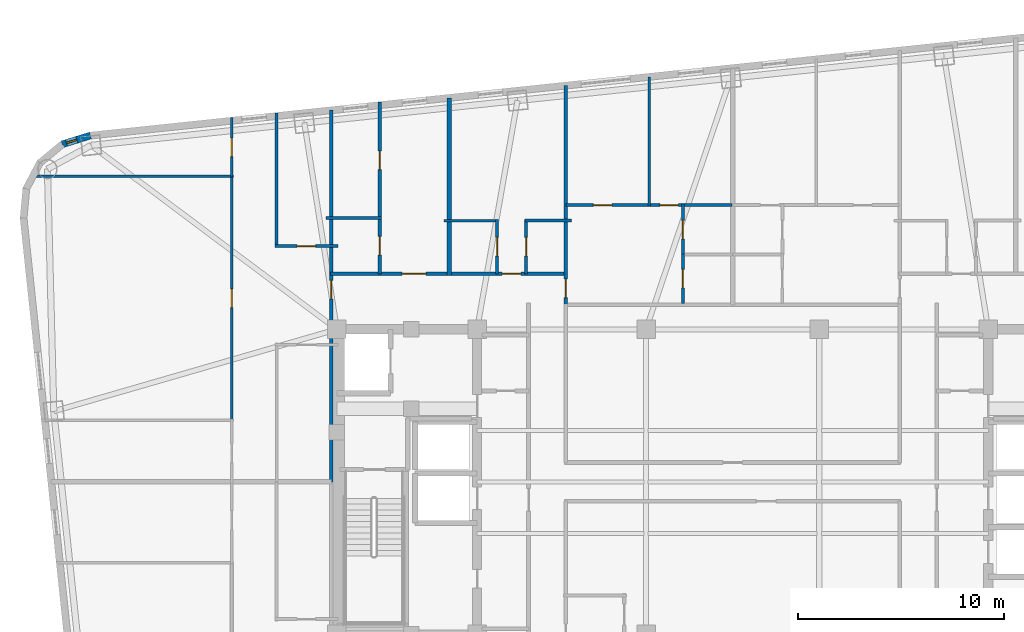
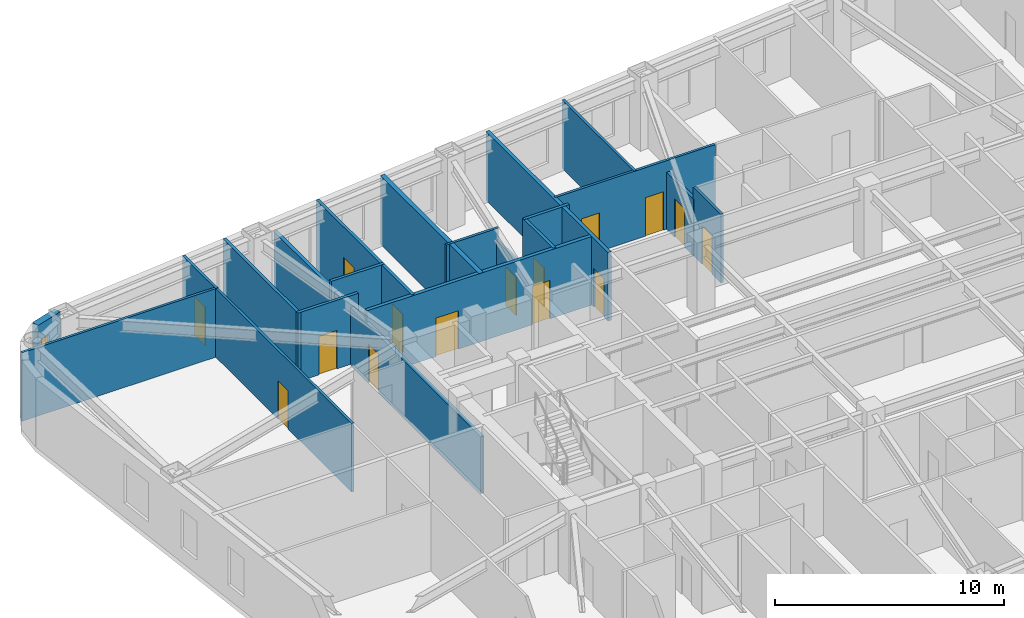
# One storey, part 8 of 12: 21 walls, 15 doors, 1 window, 16 openings.
"""IFC4 building model written with IfcOpenShell, lengths in metres."""

from ifc_helpers import new_model, si_unit, direction, frame, frame_2d, origin, place, context, subcontext, project, spatial, rectangle, extrude, material, layer, layer_set, type_object, element, fill, save


model = new_model("IFC4")

# Units and contexts
model_context = context("Model", 3, precision=1e-05, world=origin(), true_north=direction((0.0, 1.0)))
body_context = subcontext(model_context, "Body", "Model", "MODEL_VIEW")
ifc_project = project(units=[si_unit("LENGTHUNIT", "METRE"), si_unit("AREAUNIT", "SQUARE_METRE"), si_unit("VOLUMEUNIT", "CUBIC_METRE"), si_unit("PLANEANGLEUNIT", "RADIAN"), si_unit("MASSUNIT", "GRAM", prefix="KILO")], contexts=[model_context])

# Site, building, storey
site_placement = place(None, origin())
site = spatial("IfcSite", under=ifc_project, at=site_placement, CompositionType="ELEMENT")
building_placement = place(site_placement, origin())
building = spatial("IfcBuilding", under=site, at=building_placement, Name="Voryun Gate Residences", CompositionType="ELEMENT")
storey_placement = place(building_placement, frame((0.0, 0.0, 179.39990234375)))
storey = spatial("IfcBuildingStorey", under=building, at=storey_placement, Name="L44", CompositionType="ELEMENT", Elevation=179.39990234375)

# Wall, openings, doors
ifc_material_1 = material(Name="Gypsum acoustic fireboard")
ifc_layer_1 = layer(ifc_material_1, 0.179931640625, Name="W_CORR_RATED_180")
ifc_layer_set_1 = layer_set([ifc_layer_1], Name="Gypsum acoustic fireboard")
wall_type_1 = type_object("IfcWallType", Name="W_CORR_RATED_180", PredefinedType="PARTITIONING", material=ifc_layer_set_1)
wall_1_placement = place(storey_placement, frame((-19.5, 10.10009765625, 0.0), z_axis=(0.0, 0.0, 1.0), x_axis=(1.0, 0.0, 0.0)))
wall_1 = element("IfcWall", 1, at=wall_1_placement, inside=storey, type_object=wall_type_1, Name="Partition wall WP-L44-NCORR-W", PredefinedType="PARTITIONING", context=body_context, shape_type="SweptSolid", body=[
    extrude(rectangle(XDim=11.419921875, YDim=0.179931640625, at=frame_2d((5.7099609375, 0.0))), origin(), (0.0, 0.0, 1.0), 3.650146484375),
])
opening_1_placement = place(wall_1_placement, frame((3.46435546875, 0.0, 0.0)))
opening_1 = element("IfcOpeningElement", 2, at=opening_1_placement, cuts=wall_1, Name="Opening D-UNIT-1", PredefinedType="OPENING", context=body_context, shape_type="SweptSolid", body=[
    extrude(rectangle(XDim=1.14990234375, YDim=2.050048828125, at=frame_2d((0.574951171875, 1.02490234375))), frame((0.0, 0.099853515625, 0.0), z_axis=(0.0, -1.0, 0.0), x_axis=(1.0, 0.0, 0.0)), (0.0, 0.0, 1.0), 0.199951171875),
])
opening_2_placement = place(wall_1_placement, frame((8.32275390625, 0.0, 0.0)))
opening_2 = element("IfcOpeningElement", 3, at=opening_2_placement, cuts=wall_1, Name="Opening D-INT-2", PredefinedType="OPENING", context=body_context, shape_type="SweptSolid", body=[
    extrude(rectangle(XDim=0.89990234375, YDim=2.050048828125, at=frame_2d((0.449951171875, 1.02490234375))), frame((0.0, 0.099853515625, 0.0), z_axis=(0.0, -1.0, 0.0), x_axis=(1.0, 0.0, 0.0)), (0.0, 0.0, 1.0), 0.199951171875),
])
ifc_material_2 = material(Name="Architectural oak veneer")
door_type_1 = type_object("IfcDoorType", Name="DR_INT_BATH_900", OperationType="NOTDEFINED", PredefinedType="DOOR", material=ifc_material_2)
door_1_placement = place(opening_2_placement, origin())
door_1 = element("IfcDoor", 4, at=door_1_placement, inside=storey, type_object=door_type_1, Name="Door DR-L44-NENT-2", OperationType="SINGLE_SWING_RIGHT", OverallHeight=2.050048828125, OverallWidth=0.89990234375, PredefinedType="DOOR", context=body_context, shape_type="SweptSolid", body=[
    extrude(rectangle(XDim=0.89990234375, YDim=2.050048828125, at=frame_2d((0.449951171875, 1.02490234375))), frame((0.0, 0.02490234375, 0.0), z_axis=(0.0, -1.0, 0.0), x_axis=(1.0, 0.0, 0.0)), (0.0, 0.0, 1.0), 0.050048828125),
])
fill(opening_2, door_1)
ifc_material_3 = material(Name="Armoured timber-clad fire door", Category="wood")
door_type_2 = type_object("IfcDoorType", Name="DR_UNIT_ENTRY_1150", OperationType="NOTDEFINED", PredefinedType="DOOR", material=ifc_material_3)
door_2_placement = place(opening_1_placement, origin())
door_2 = element("IfcDoor", 5, at=door_2_placement, inside=storey, type_object=door_type_2, Name="Door DR-L44-NENT-1", OperationType="SINGLE_SWING_LEFT", OverallHeight=2.050048828125, OverallWidth=1.14990234375, PredefinedType="DOOR", context=body_context, shape_type="SweptSolid", body=[
    extrude(rectangle(XDim=1.14990234375, YDim=2.050048828125, at=frame_2d((0.574951171875, 1.02490234375))), frame((0.0, 0.02490234375, 0.0), z_axis=(0.0, -1.0, 0.0), x_axis=(1.0, 0.0, 0.0)), (0.0, 0.0, 1.0), 0.050048828125),
])
fill(opening_1, door_2)

# Wall, opening, door
wall_2_placement = place(storey_placement, frame((-8.10009765625, 8.590087890625, 0.0), z_axis=(0.0, 0.0, 1.0), x_axis=(0.0, 1.0, 0.0)))
wall_2 = element("IfcWall", 6, at=wall_2_placement, inside=storey, type_object=wall_type_1, Name="Partition wall WP-L44-NZV-1", PredefinedType="PARTITIONING", context=body_context, shape_type="SweptSolid", body=[
    extrude(rectangle(XDim=10.63623046875, YDim=0.179931640625, at=frame_2d((5.318115234375, 0.0))), origin(), (0.0, 0.0, 1.0), 3.650146484375),
])
opening_3_placement = place(wall_2_placement, frame((0.349853515625, 0.0, 0.0)))
opening_3 = element("IfcOpeningElement", 7, at=opening_3_placement, cuts=wall_2, Name="Opening D-INT-2", PredefinedType="OPENING", context=body_context, shape_type="SweptSolid", body=[
    extrude(rectangle(XDim=0.89990234375, YDim=2.050048828125, at=frame_2d((0.449951171875, 1.02490234375))), frame((0.0, 0.099853515625, 0.0), z_axis=(0.0, -1.0, 0.0), x_axis=(1.0, 0.0, 0.0)), (0.0, 0.0, 1.0), 0.199951171875),
])
door_3_placement = place(opening_3_placement, origin())
door_3 = element("IfcDoor", 8, at=door_3_placement, inside=storey, type_object=door_type_1, Name="Door DR-L44-NZENT-1", OperationType="SINGLE_SWING_LEFT", OverallHeight=2.050048828125, OverallWidth=0.89990234375, PredefinedType="DOOR", context=body_context, shape_type="SweptSolid", body=[
    extrude(rectangle(XDim=0.89990234375, YDim=2.050048828125, at=frame_2d((0.449951171875, 1.02490234375))), frame((0.0, 0.02490234375, 0.0), z_axis=(0.0, -1.0, 0.0), x_axis=(1.0, 0.0, 0.0)), (0.0, 0.0, 1.0), 0.050048828125),
])
fill(opening_3, door_3)

wall_3_placement = place(storey_placement, frame((-19.469970703125, 0.0, 0.0), z_axis=(0.0, 0.0, 1.0), x_axis=(0.0, 1.0, 0.0)))
wall_3 = element("IfcWall", 9, at=wall_3_placement, inside=storey, type_object=wall_type_1, Name="Partition wall WP-L44-WCOR2", PredefinedType="PARTITIONING", context=body_context, shape_type="SweptSolid", body=[
    extrude(rectangle(XDim=18.031494140625, YDim=0.179931640625, at=frame_2d((9.015625, 0.0))), origin(), (0.0, 0.0, 1.0), 3.0400390625),
])
opening_4_placement = place(wall_3_placement, frame((8.87939453125, 0.0, 0.0)))
opening_4 = element("IfcOpeningElement", 10, at=opening_4_placement, cuts=wall_3, Name="Opening D-INT-2", PredefinedType="OPENING", context=body_context, shape_type="SweptSolid", body=[
    extrude(rectangle(XDim=0.89990234375, YDim=2.050048828125, at=frame_2d((0.449951171875, 1.02490234375))), frame((0.0, 0.099853515625, 0.0), z_axis=(0.0, -1.0, 0.0), x_axis=(1.0, 0.0, 0.0)), (0.0, 0.0, 1.0), 0.199951171875),
])
door_4_placement = place(opening_4_placement, origin())
door_4 = element("IfcDoor", 11, at=door_4_placement, inside=storey, type_object=door_type_1, Name="Door DR-L44-WE2", OperationType="SINGLE_SWING_RIGHT", OverallHeight=2.050048828125, OverallWidth=0.89990234375, PredefinedType="DOOR", context=body_context, shape_type="SweptSolid", body=[
    extrude(rectangle(XDim=0.89990234375, YDim=2.050048828125, at=frame_2d((0.449951171875, 1.02490234375))), frame((0.0, 0.02490234375, 0.0), z_axis=(0.0, -1.0, 0.0), x_axis=(1.0, 0.0, 0.0)), (0.0, 0.0, 1.0), 0.050048828125),
])
fill(opening_4, door_4)

# Wall, opening, window
ifc_material_4 = material(Name="Charcoal terracotta masonry", Category="masonry")
ifc_layer_2 = layer(ifc_material_4, 0.340087890625, Name="W_EXT_TERRACOTTA_340")
ifc_layer_set_2 = layer_set([ifc_layer_2], Name="Charcoal terracotta masonry")
wall_type_2 = type_object("IfcWallType", Name="W_EXT_TERRACOTTA_340", PredefinedType="ELEMENTEDWALL", material=ifc_layer_set_2)
wall_4_placement = place(storey_placement, frame((-32.523193359375, 16.37841796875, 0.0), z_axis=(0.0, 0.0, 1.0), x_axis=(0.9549942197, 0.296624409546, 0.0)))
wall_4 = element("IfcWall", 12, at=wall_4_placement, inside=storey, type_object=wall_type_2, Name="Exterior wall WEXT-L44-10", PredefinedType="ELEMENTEDWALL", context=body_context, shape_type="SweptSolid", body=[
    extrude(rectangle(XDim=1.43212890625, YDim=0.340087890625, at=frame_2d((0.716064453125, 0.0))), origin(), (0.0, 0.0, 1.0), 3.650146484375),
])
opening_5_placement = place(wall_4_placement, frame((0.216064453125, 0.0, 0.75)))
opening_5 = element("IfcOpeningElement", 13, at=opening_5_placement, cuts=wall_4, Name="Opening WN10", PredefinedType="OPENING", context=body_context, shape_type="SweptSolid", body=[
    extrude(rectangle(XDim=0.52001953125, YDim=2.050048828125, at=frame_2d((0.260009765625, 1.02490234375))), frame((0.0, 0.179931640625, 0.0), z_axis=(0.0, -1.0, 0.0), x_axis=(1.0, 0.0, 0.0)), (0.0, 0.0, 1.0), 0.360107421875),
])
ifc_material_5 = material(Name="Laminated low-E glass", Category="glass")
window_type = type_object("IfcWindowType", Name="WN_PAGODA_LANCET_520", PartitioningType="SINGLE_PANEL", PredefinedType="WINDOW", material=ifc_material_5)
window_placement = place(opening_5_placement, origin())
window = element("IfcWindow", 14, at=window_placement, inside=storey, type_object=window_type, Name="Window WN-L44-DWFIX-24", OverallHeight=2.050048828125, OverallWidth=0.52001953125, PartitioningType="SINGLE_PANEL", PredefinedType="WINDOW", context=body_context, shape_type="SweptSolid", body=[
    extrude(rectangle(XDim=0.52001953125, YDim=2.050048828125, at=frame_2d((0.260009765625, 1.02490234375))), frame((0.0, 0.030029296875, 0.0), z_axis=(0.0, -1.0, 0.0), x_axis=(1.0, 0.0, 0.0)), (0.0, 0.0, 1.0), 0.06005859375),
])
fill(opening_5, window)

# Wall
ifc_material_6 = material(Name="Concrete C40/50", Category="concrete")
ifc_layer_3 = layer(ifc_material_6, 0.219970703125, Name="W_PARTY_ACOUSTIC_220")
ifc_layer_set_3 = layer_set([ifc_layer_3], Name="Concrete C40/50")
wall_type_3 = type_object("IfcWallType", Name="W_PARTY_ACOUSTIC_220", PredefinedType="PARTITIONING", material=ifc_layer_set_3)
wall_5_placement = place(storey_placement, frame((-13.739990234375, 10.02001953125, 0.0), z_axis=(0.0, 0.0, 1.0), x_axis=(0.0, 1.0, 0.0)))
element("IfcWall", 15, at=wall_5_placement, inside=storey, type_object=wall_type_3, Name="Partition wall WP-L44-NPTY-1", PredefinedType="PARTITIONING", context=body_context, shape_type="SweptSolid", body=[
    extrude(rectangle(XDim=8.613525390625, YDim=0.219970703125, at=frame_2d((4.306640625, 0.0))), origin(), (0.0, 0.0, 1.0), 3.650146484375),
])

# Wall, opening, door
ifc_material_7 = material(Name="Gypsum acoustic partition")
ifc_layer_4 = layer(ifc_material_7, 0.125, Name="W_UNIT_PART_125")
ifc_layer_set_4 = layer_set([ifc_layer_4], Name="Gypsum acoustic partition")
wall_type_4 = type_object("IfcWallType", Name="W_UNIT_PART_125", PredefinedType="PARTITIONING", material=ifc_layer_set_4)
wall_6_placement = place(storey_placement, frame((-11.429931640625, 10.080078125, 0.0), z_axis=(0.0, 0.0, 1.0), x_axis=(0.0, 1.0, 0.0)))
wall_6 = element("IfcWall", 16, at=wall_6_placement, inside=storey, type_object=wall_type_4, Name="Partition wall WP-L44-N2-CVK", PredefinedType="PARTITIONING", context=body_context, shape_type="SweptSolid", body=[
    extrude(rectangle(XDim=2.64990234375, YDim=0.125, at=frame_2d((1.324951171875, 0.0))), origin(), (0.0, 0.0, 1.0), 3.0400390625),
])
opening_6_placement = place(wall_6_placement, frame((0.875, 0.0, 0.0)))
opening_6 = element("IfcOpeningElement", 17, at=opening_6_placement, cuts=wall_6, Name="Opening D-INT-2", PredefinedType="OPENING", context=body_context, shape_type="SweptSolid", body=[
    extrude(rectangle(XDim=0.89990234375, YDim=2.050048828125, at=frame_2d((0.449951171875, 1.02490234375))), frame((0.0, 0.072509765625, 0.0), z_axis=(0.0, -1.0, 0.0), x_axis=(1.0, 0.0, 0.0)), (0.0, 0.0, 1.0), 0.14501953125),
])
door_5_placement = place(opening_6_placement, origin())
door_5 = element("IfcDoor", 18, at=door_5_placement, inside=storey, type_object=door_type_1, Name="Door DR-L44-N2-DK", OperationType="SINGLE_SWING_LEFT", OverallHeight=2.050048828125, OverallWidth=0.89990234375, PredefinedType="DOOR", context=body_context, shape_type="SweptSolid", body=[
    extrude(rectangle(XDim=0.89990234375, YDim=2.050048828125, at=frame_2d((0.449951171875, 1.02490234375))), frame((0.0, 0.02490234375, 0.0), z_axis=(0.0, -1.0, 0.0), x_axis=(1.0, 0.0, 0.0)), (0.0, 0.0, 1.0), 0.050048828125),
])
fill(opening_6, door_5)

# Wall
wall_7_placement = place(storey_placement, frame((-14.0, 12.669921875, 0.0), z_axis=(0.0, 0.0, 1.0), x_axis=(1.0, 0.0, 0.0)))
element("IfcWall", 19, at=wall_7_placement, inside=storey, type_object=wall_type_4, Name="Partition wall WP-L44-N2-CHK", PredefinedType="PARTITIONING", context=body_context, shape_type="SweptSolid", body=[
    extrude(rectangle(XDim=2.6298828125, YDim=0.125, at=frame_2d((1.31494140625, 0.0))), origin(), (0.0, 0.0, 1.0), 3.650146484375),
])

# Wall, openings, doors
wall_8_placement = place(storey_placement, frame((-8.080078125, 13.429931640625, 0.0), z_axis=(0.0, 0.0, 1.0), x_axis=(1.0, 0.0, 0.0)))
wall_8 = element("IfcWall", 20, at=wall_8_placement, inside=storey, type_object=wall_type_4, Name="Partition wall WP-L44-NC1-HZ", PredefinedType="PARTITIONING", context=body_context, shape_type="SweptSolid", body=[
    extrude(rectangle(XDim=8.06005859375, YDim=0.125, at=frame_2d((4.030029296875, 0.0))), origin(), (0.0, 0.0, 1.0), 3.650146484375),
])
opening_7_placement = place(wall_8_placement, frame((1.3232421875, 0.0, 0.0)))
opening_7 = element("IfcOpeningElement", 21, at=opening_7_placement, cuts=wall_8, Name="Opening D-INT-2", PredefinedType="OPENING", context=body_context, shape_type="SweptSolid", body=[
    extrude(rectangle(XDim=0.89990234375, YDim=2.050048828125, at=frame_2d((0.449951171875, 1.02490234375))), frame((0.0, 0.072509765625, 0.0), z_axis=(0.0, -1.0, 0.0), x_axis=(1.0, 0.0, 0.0)), (0.0, 0.0, 1.0), 0.14501953125),
])
opening_8_placement = place(wall_8_placement, frame((4.547119140625, 0.0, 0.0)))
opening_8 = element("IfcOpeningElement", 22, at=opening_8_placement, cuts=wall_8, Name="Opening D-INT-2", PredefinedType="OPENING", context=body_context, shape_type="SweptSolid", body=[
    extrude(rectangle(XDim=0.89990234375, YDim=2.050048828125, at=frame_2d((0.449951171875, 1.02490234375))), frame((0.0, 0.072509765625, 0.0), z_axis=(0.0, -1.0, 0.0), x_axis=(1.0, 0.0, 0.0)), (0.0, 0.0, 1.0), 0.14501953125),
])
door_6_placement = place(opening_7_placement, origin())
door_6 = element("IfcDoor", 23, at=door_6_placement, inside=storey, type_object=door_type_1, Name="Door DR-L44-NC1-DMB", OperationType="SINGLE_SWING_LEFT", OverallHeight=2.050048828125, OverallWidth=0.89990234375, PredefinedType="DOOR", context=body_context, shape_type="SweptSolid", body=[
    extrude(rectangle(XDim=0.89990234375, YDim=2.050048828125, at=frame_2d((0.449951171875, 1.02490234375))), frame((0.0, 0.02490234375, 0.0), z_axis=(0.0, -1.0, 0.0), x_axis=(1.0, 0.0, 0.0)), (0.0, 0.0, 1.0), 0.050048828125),
])
fill(opening_7, door_6)
door_7_placement = place(opening_8_placement, origin())
door_7 = element("IfcDoor", 24, at=door_7_placement, inside=storey, type_object=door_type_1, Name="Door DR-L44-NC1-DBD2", OperationType="SINGLE_SWING_RIGHT", OverallHeight=2.050048828125, OverallWidth=0.89990234375, PredefinedType="DOOR", context=body_context, shape_type="SweptSolid", body=[
    extrude(rectangle(XDim=0.89990234375, YDim=2.050048828125, at=frame_2d((0.449951171875, 1.02490234375))), frame((0.0, 0.02490234375, 0.0), z_axis=(0.0, -1.0, 0.0), x_axis=(1.0, 0.0, 0.0)), (0.0, 0.0, 1.0), 0.050048828125),
])
fill(opening_8, door_7)

# Wall, opening, door
wall_9_placement = place(storey_placement, frame((-2.409912109375, 8.64990234375, 0.0), z_axis=(0.0, 0.0, 1.0), x_axis=(0.0, 1.0, 0.0)))
wall_9 = element("IfcWall", 25, at=wall_9_placement, inside=storey, type_object=wall_type_4, Name="Partition wall WP-L44-NC1-VK1", PredefinedType="PARTITIONING", context=body_context, shape_type="SweptSolid", body=[
    extrude(rectangle(XDim=2.41015625, YDim=0.125, at=frame_2d((1.205078125, 0.0))), origin(), (0.0, 0.0, 1.0), 3.650146484375),
])
opening_9_placement = place(wall_9_placement, frame((0.7548828125, 0.0, 0.0)))
opening_9 = element("IfcOpeningElement", 26, at=opening_9_placement, cuts=wall_9, Name="Opening D-INT-2", PredefinedType="OPENING", context=body_context, shape_type="SweptSolid", body=[
    extrude(rectangle(XDim=0.89990234375, YDim=2.050048828125, at=frame_2d((0.449951171875, 1.02490234375))), frame((0.0, 0.072509765625, 0.0), z_axis=(0.0, -1.0, 0.0), x_axis=(1.0, 0.0, 0.0)), (0.0, 0.0, 1.0), 0.14501953125),
])
door_8_placement = place(opening_9_placement, origin())
door_8 = element("IfcDoor", 27, at=door_8_placement, inside=storey, type_object=door_type_1, Name="Door DR-L44-NC1-DK", OperationType="SINGLE_SWING_LEFT", OverallHeight=2.050048828125, OverallWidth=0.89990234375, PredefinedType="DOOR", context=body_context, shape_type="SweptSolid", body=[
    extrude(rectangle(XDim=0.89990234375, YDim=2.050048828125, at=frame_2d((0.449951171875, 1.02490234375))), frame((0.0, 0.02490234375, 0.0), z_axis=(0.0, -1.0, 0.0), x_axis=(1.0, 0.0, 0.0)), (0.0, 0.0, 1.0), 0.050048828125),
])
fill(opening_9, door_8)

# Walls
wall_10_placement = place(storey_placement, frame((-4.050048828125, 13.389892578125, 0.0), z_axis=(0.0, 0.0, 1.0), x_axis=(0.0, 1.0, 0.0)))
element("IfcWall", 28, at=wall_10_placement, inside=storey, type_object=wall_type_4, Name="Partition wall WP-L44-NC1-VBD", PredefinedType="PARTITIONING", context=body_context, shape_type="SweptSolid", body=[
    extrude(rectangle(XDim=6.26220703125, YDim=0.125, at=frame_2d((3.131103515625, 0.0))), origin(), (0.0, 0.0, 1.0), 3.650146484375),
])
wall_11_placement = place(storey_placement, frame((-34.1171875, 14.833984375, 0.0), z_axis=(0.0, 0.0, 1.0), x_axis=(1.0, 0.0, 0.0)))
element("IfcWall", 29, at=wall_11_placement, inside=storey, type_object=wall_type_4, Name="Partition wall WP-L44-W2-OH2", PredefinedType="PARTITIONING", context=body_context, shape_type="SweptSolid", body=[
    extrude(rectangle(XDim=9.897216796875, YDim=0.125, at=frame_2d((4.94873046875, 0.0))), origin(), (0.0, 0.0, 1.0), 3.650146484375),
])

# Wall, opening, door
wall_12_placement = place(storey_placement, frame((-24.300048828125, 2.928955078125, 0.0), z_axis=(0.0, 0.0, 1.0), x_axis=(0.0, 1.0, 0.0)))
wall_12 = element("IfcWall", 30, at=wall_12_placement, inside=storey, type_object=wall_type_4, Name="Partition wall WP-L44-W2-OVX2", PredefinedType="PARTITIONING", context=body_context, shape_type="SweptSolid", body=[
    extrude(rectangle(XDim=11.955078125, YDim=0.125, at=frame_2d((5.9775390625, 0.0))), origin(), (0.0, 0.0, 1.0), 3.650146484375),
])
opening_10_placement = place(wall_12_placement, frame((5.527587890625, 0.0, 0.0)))
opening_10 = element("IfcOpeningElement", 31, at=opening_10_placement, cuts=wall_12, Name="Opening D-INT-2", PredefinedType="OPENING", context=body_context, shape_type="SweptSolid", body=[
    extrude(rectangle(XDim=0.89990234375, YDim=2.050048828125, at=frame_2d((0.449951171875, 1.02490234375))), frame((0.0, 0.072509765625, 0.0), z_axis=(0.0, -1.0, 0.0), x_axis=(1.0, 0.0, 0.0)), (0.0, 0.0, 1.0), 0.14501953125),
])
door_9_placement = place(opening_10_placement, origin())
door_9 = element("IfcDoor", 32, at=door_9_placement, inside=storey, type_object=door_type_1, Name="Door DR-L44-W2-DSTD", OperationType="SINGLE_SWING_RIGHT", OverallHeight=2.050048828125, OverallWidth=0.89990234375, PredefinedType="DOOR", context=body_context, shape_type="SweptSolid", body=[
    extrude(rectangle(XDim=0.89990234375, YDim=2.050048828125, at=frame_2d((0.449951171875, 1.02490234375))), frame((0.0, 0.02490234375, 0.0), z_axis=(0.0, -1.0, 0.0), x_axis=(1.0, 0.0, 0.0)), (0.0, 0.0, 1.0), 0.050048828125),
])
fill(opening_10, door_9)

wall_13_placement = place(storey_placement, frame((-24.300048828125, 14.783935546875, 0.0), z_axis=(0.0, 0.0, 1.0), x_axis=(0.0, 1.0, 0.0)))
wall_13 = element("IfcWall", 33, at=wall_13_placement, inside=storey, type_object=wall_type_4, Name="Partition wall WP-L44-W2-OVX3", PredefinedType="PARTITIONING", context=body_context, shape_type="SweptSolid", body=[
    extrude(rectangle(XDim=2.890625, YDim=0.125, at=frame_2d((1.4453125, 0.0))), origin(), (0.0, 0.0, 1.0), 3.650146484375),
])
opening_11_placement = place(wall_13_placement, frame((0.995361328125, 0.0, 0.0)))
opening_11 = element("IfcOpeningElement", 34, at=opening_11_placement, cuts=wall_13, Name="Opening D-INT-2", PredefinedType="OPENING", context=body_context, shape_type="SweptSolid", body=[
    extrude(rectangle(XDim=0.89990234375, YDim=2.050048828125, at=frame_2d((0.449951171875, 1.02490234375))), frame((0.0, 0.072509765625, 0.0), z_axis=(0.0, -1.0, 0.0), x_axis=(1.0, 0.0, 0.0)), (0.0, 0.0, 1.0), 0.14501953125),
])
door_10_placement = place(opening_11_placement, origin())
door_10 = element("IfcDoor", 35, at=door_10_placement, inside=storey, type_object=door_type_1, Name="Door DR-L44-W2-DMB", OperationType="SINGLE_SWING_LEFT", OverallHeight=2.050048828125, OverallWidth=0.89990234375, PredefinedType="DOOR", context=body_context, shape_type="SweptSolid", body=[
    extrude(rectangle(XDim=0.89990234375, YDim=2.050048828125, at=frame_2d((0.449951171875, 1.02490234375))), frame((0.0, 0.02490234375, 0.0), z_axis=(0.0, -1.0, 0.0), x_axis=(1.0, 0.0, 0.0)), (0.0, 0.0, 1.0), 0.050048828125),
])
fill(opening_11, door_10)

# Wall
ifc_material_8 = material(Name="Gypsum moisture-resistant partition")
ifc_layer_5 = layer(ifc_material_8, 0.14990234375, Name="W_WET_PLUMB_150")
ifc_layer_set_5 = layer_set([ifc_layer_5], Name="Gypsum moisture-resistant partition")
wall_type_5 = type_object("IfcWallType", Name="W_WET_PLUMB_150", PredefinedType="PLUMBINGWALL", material=ifc_layer_set_5)
wall_14_placement = place(storey_placement, frame((-19.719970703125, 12.800048828125, 0.0), z_axis=(0.0, 0.0, 1.0), x_axis=(1.0, 0.0, 0.0)))
element("IfcWall", 36, at=wall_14_placement, inside=storey, type_object=wall_type_5, Name="Partition wall WP-L44-N1-SKB", PredefinedType="PLUMBINGWALL", context=body_context, shape_type="SweptSolid", body=[
    extrude(rectangle(XDim=2.678955078125, YDim=0.14990234375, at=frame_2d((1.33935546875, 0.0))), origin(), (0.0, 0.0, 1.0), 3.650146484375),
])

# Wall, opening, door
wall_15_placement = place(storey_placement, frame((-17.12109375, 10.080078125, 0.0), z_axis=(0.0, 0.0, 1.0), x_axis=(0.0, 1.0, 0.0)))
wall_15 = element("IfcWall", 37, at=wall_15_placement, inside=storey, type_object=wall_type_5, Name="Partition wall WP-L44-N1-SVT1", PredefinedType="PLUMBINGWALL", context=body_context, shape_type="SweptSolid", body=[
    extrude(rectangle(XDim=2.760009765625, YDim=0.14990234375, at=frame_2d((1.3798828125, 0.0))), origin(), (0.0, 0.0, 1.0), 3.650146484375),
])
opening_12_placement = place(wall_15_placement, frame((0.929931640625, 0.0, 0.0)))
opening_12 = element("IfcOpeningElement", 38, at=opening_12_placement, cuts=wall_15, Name="Opening D-INT-2", PredefinedType="OPENING", context=body_context, shape_type="SweptSolid", body=[
    extrude(rectangle(XDim=0.89990234375, YDim=2.050048828125, at=frame_2d((0.449951171875, 1.02490234375))), frame((0.0, 0.0849609375, 0.0), z_axis=(0.0, -1.0, 0.0), x_axis=(1.0, 0.0, 0.0)), (0.0, 0.0, 1.0), 0.169921875),
])
door_11_placement = place(opening_12_placement, origin())
door_11 = element("IfcDoor", 39, at=door_11_placement, inside=storey, type_object=door_type_1, Name="Door DR-L44-N1-DB", OperationType="SINGLE_SWING_LEFT", OverallHeight=2.050048828125, OverallWidth=0.89990234375, PredefinedType="DOOR", context=body_context, shape_type="SweptSolid", body=[
    extrude(rectangle(XDim=0.89990234375, YDim=2.050048828125, at=frame_2d((0.449951171875, 1.02490234375))), frame((0.0, 0.02490234375, 0.0), z_axis=(0.0, -1.0, 0.0), x_axis=(1.0, 0.0, 0.0)), (0.0, 0.0, 1.0), 0.050048828125),
])
fill(opening_12, door_11)

wall_16_placement = place(storey_placement, frame((-17.12109375, 12.760009765625, 0.0), z_axis=(0.0, 0.0, 1.0), x_axis=(0.0, 1.0, 0.0)))
wall_16 = element("IfcWall", 40, at=wall_16_placement, inside=storey, type_object=wall_type_5, Name="Partition wall WP-L44-N1-SVT2", PredefinedType="PLUMBINGWALL", context=body_context, shape_type="SweptSolid", body=[
    extrude(rectangle(XDim=5.669189453125, YDim=0.14990234375, at=frame_2d((2.83447265625, 0.0))), origin(), (0.0, 0.0, 1.0), 3.650146484375),
])
opening_13_placement = place(wall_16_placement, frame((2.384521484375, 0.0, 0.0)))
opening_13 = element("IfcOpeningElement", 41, at=opening_13_placement, cuts=wall_16, Name="Opening D-INT-2", PredefinedType="OPENING", context=body_context, shape_type="SweptSolid", body=[
    extrude(rectangle(XDim=0.89990234375, YDim=2.050048828125, at=frame_2d((0.449951171875, 1.02490234375))), frame((0.0, 0.0849609375, 0.0), z_axis=(0.0, -1.0, 0.0), x_axis=(1.0, 0.0, 0.0)), (0.0, 0.0, 1.0), 0.169921875),
])
door_12_placement = place(opening_13_placement, origin())
door_12 = element("IfcDoor", 42, at=door_12_placement, inside=storey, type_object=door_type_1, Name="Door DR-L44-N1-DK", OperationType="SINGLE_SWING_RIGHT", OverallHeight=2.050048828125, OverallWidth=0.89990234375, PredefinedType="DOOR", context=body_context, shape_type="SweptSolid", body=[
    extrude(rectangle(XDim=0.89990234375, YDim=2.050048828125, at=frame_2d((0.449951171875, 1.02490234375))), frame((0.0, 0.02490234375, 0.0), z_axis=(0.0, -1.0, 0.0), x_axis=(1.0, 0.0, 0.0)), (0.0, 0.0, 1.0), 0.050048828125),
])
fill(opening_13, door_12)

wall_17_placement = place(storey_placement, frame((-10.02392578125, 10.080078125, 0.0), z_axis=(0.0, 0.0, 1.0), x_axis=(0.0, 1.0, 0.0)))
wall_17 = element("IfcWall", 43, at=wall_17_placement, inside=storey, type_object=wall_type_5, Name="Partition wall WP-L44-N2-CVB", PredefinedType="PLUMBINGWALL", context=body_context, shape_type="SweptSolid", body=[
    extrude(rectangle(XDim=2.64990234375, YDim=0.14990234375, at=frame_2d((1.324951171875, 0.0))), origin(), (0.0, 0.0, 1.0), 3.650146484375),
])
opening_14_placement = place(wall_17_placement, frame((0.875, 0.0, 0.0)))
opening_14 = element("IfcOpeningElement", 44, at=opening_14_placement, cuts=wall_17, Name="Opening D-INT-2", PredefinedType="OPENING", context=body_context, shape_type="SweptSolid", body=[
    extrude(rectangle(XDim=0.89990234375, YDim=2.050048828125, at=frame_2d((0.449951171875, 1.02490234375))), frame((0.0, 0.0849609375, 0.0), z_axis=(0.0, -1.0, 0.0), x_axis=(1.0, 0.0, 0.0)), (0.0, 0.0, 1.0), 0.169921875),
])
door_13_placement = place(opening_14_placement, origin())
door_13 = element("IfcDoor", 45, at=door_13_placement, inside=storey, type_object=door_type_1, Name="Door DR-L44-N2-DB", OperationType="SINGLE_SWING_RIGHT", OverallHeight=2.050048828125, OverallWidth=0.89990234375, PredefinedType="DOOR", context=body_context, shape_type="SweptSolid", body=[
    extrude(rectangle(XDim=0.89990234375, YDim=2.050048828125, at=frame_2d((0.449951171875, 1.02490234375))), frame((0.0, 0.02490234375, 0.0), z_axis=(0.0, -1.0, 0.0), x_axis=(1.0, 0.0, 0.0)), (0.0, 0.0, 1.0), 0.050048828125),
])
fill(opening_14, door_13)

# Wall
wall_18_placement = place(storey_placement, frame((-10.083984375, 12.669921875, 0.0), z_axis=(0.0, 0.0, 1.0), x_axis=(1.0, 0.0, 0.0)))
element("IfcWall", 46, at=wall_18_placement, inside=storey, type_object=wall_type_5, Name="Partition wall WP-L44-N2-CHB", PredefinedType="PLUMBINGWALL", context=body_context, shape_type="SweptSolid", body=[
    extrude(rectangle(XDim=2.263916015625, YDim=0.14990234375, at=frame_2d((1.1318359375, 0.0))), origin(), (0.0, 0.0, 1.0), 3.650146484375),
])

# Wall, opening, door
wall_19_placement = place(storey_placement, frame((-2.409912109375, 11.0, 0.0), z_axis=(0.0, 0.0, 1.0), x_axis=(0.0, 1.0, 0.0)))
wall_19 = element("IfcWall", 47, at=wall_19_placement, inside=storey, type_object=wall_type_5, Name="Partition wall WP-L44-NC1-VK2", PredefinedType="PLUMBINGWALL", context=body_context, shape_type="SweptSolid", body=[
    extrude(rectangle(XDim=2.469970703125, YDim=0.14990234375, at=frame_2d((1.23486328125, 0.0))), origin(), (0.0, 0.0, 1.0), 3.0400390625),
])
opening_15_placement = place(wall_19_placement, frame((0.784912109375, 0.0, 0.0)))
opening_15 = element("IfcOpeningElement", 48, at=opening_15_placement, cuts=wall_19, Name="Opening D-INT-2", PredefinedType="OPENING", context=body_context, shape_type="SweptSolid", body=[
    extrude(rectangle(XDim=0.89990234375, YDim=2.050048828125, at=frame_2d((0.449951171875, 1.02490234375))), frame((0.0, 0.0849609375, 0.0), z_axis=(0.0, -1.0, 0.0), x_axis=(1.0, 0.0, 0.0)), (0.0, 0.0, 1.0), 0.169921875),
])
door_14_placement = place(opening_15_placement, origin())
door_14 = element("IfcDoor", 49, at=door_14_placement, inside=storey, type_object=door_type_1, Name="Door DR-L44-NC1-DB", OperationType="SINGLE_SWING_RIGHT", OverallHeight=2.050048828125, OverallWidth=0.89990234375, PredefinedType="DOOR", context=body_context, shape_type="SweptSolid", body=[
    extrude(rectangle(XDim=0.89990234375, YDim=2.050048828125, at=frame_2d((0.449951171875, 1.02490234375))), frame((0.0, 0.02490234375, 0.0), z_axis=(0.0, -1.0, 0.0), x_axis=(1.0, 0.0, 0.0)), (0.0, 0.0, 1.0), 0.050048828125),
])
fill(opening_15, door_14)

wall_20_placement = place(storey_placement, frame((-22.199951171875, 11.43798828125, 0.0), z_axis=(0.0, 0.0, 1.0), x_axis=(1.0, 0.0, 0.0)))
wall_20 = element("IfcWall", 50, at=wall_20_placement, inside=storey, type_object=wall_type_5, Name="Partition wall WP-L44-W2-IBB", PredefinedType="PLUMBINGWALL", context=body_context, shape_type="SweptSolid", body=[
    extrude(rectangle(XDim=3.050048828125, YDim=0.14990234375, at=frame_2d((1.52490234375, 0.0))), origin(), (0.0, 0.0, 1.0), 3.650146484375),
])
opening_16_placement = place(wall_20_placement, frame((1.074951171875, 0.0, 0.0)))
opening_16 = element("IfcOpeningElement", 51, at=opening_16_placement, cuts=wall_20, Name="Opening D-INT-2", PredefinedType="OPENING", context=body_context, shape_type="SweptSolid", body=[
    extrude(rectangle(XDim=0.89990234375, YDim=2.050048828125, at=frame_2d((0.449951171875, 1.02490234375))), frame((0.0, 0.0849609375, 0.0), z_axis=(0.0, -1.0, 0.0), x_axis=(1.0, 0.0, 0.0)), (0.0, 0.0, 1.0), 0.169921875),
])
door_15_placement = place(opening_16_placement, origin())
door_15 = element("IfcDoor", 52, at=door_15_placement, inside=storey, type_object=door_type_1, Name="Door DR-L44-W2-DB", OperationType="SINGLE_SWING_RIGHT", OverallHeight=2.050048828125, OverallWidth=0.89990234375, PredefinedType="DOOR", context=body_context, shape_type="SweptSolid", body=[
    extrude(rectangle(XDim=0.89990234375, YDim=2.050048828125, at=frame_2d((0.449951171875, 1.02490234375))), frame((0.0, 0.02490234375, 0.0), z_axis=(0.0, -1.0, 0.0), x_axis=(1.0, 0.0, 0.0)), (0.0, 0.0, 1.0), 0.050048828125),
])
fill(opening_16, door_15)

# Wall
wall_21_placement = place(storey_placement, frame((-22.1201171875, 11.35791015625, 0.0), z_axis=(0.0, 0.0, 1.0), x_axis=(0.0, 1.0, 0.0)))
element("IfcWall", 53, at=wall_21_placement, inside=storey, type_object=wall_type_5, Name="Partition wall WP-L44-W2-VTB", PredefinedType="PLUMBINGWALL", context=body_context, shape_type="SweptSolid", body=[
    extrude(rectangle(XDim=6.5458984375, YDim=0.14990234375, at=frame_2d((3.27294921875, 0.0))), origin(), (0.0, 0.0, 1.0), 3.650146484375),
])

save(model, "model.ifc")
